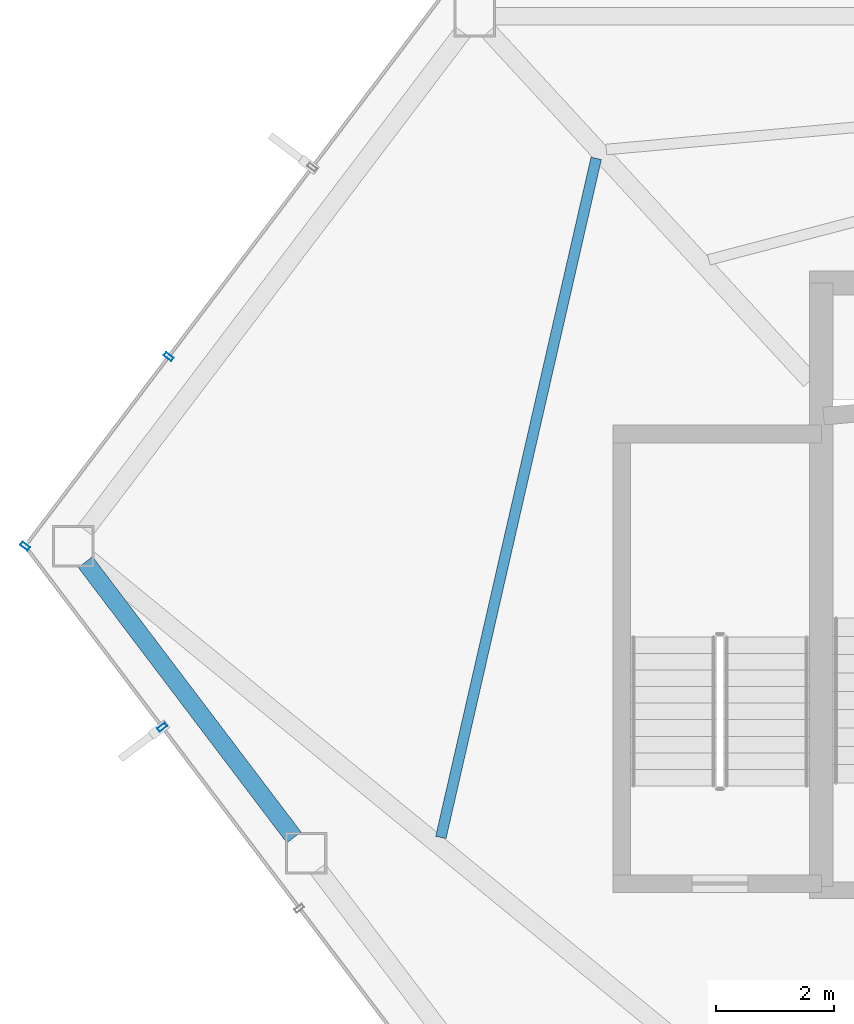
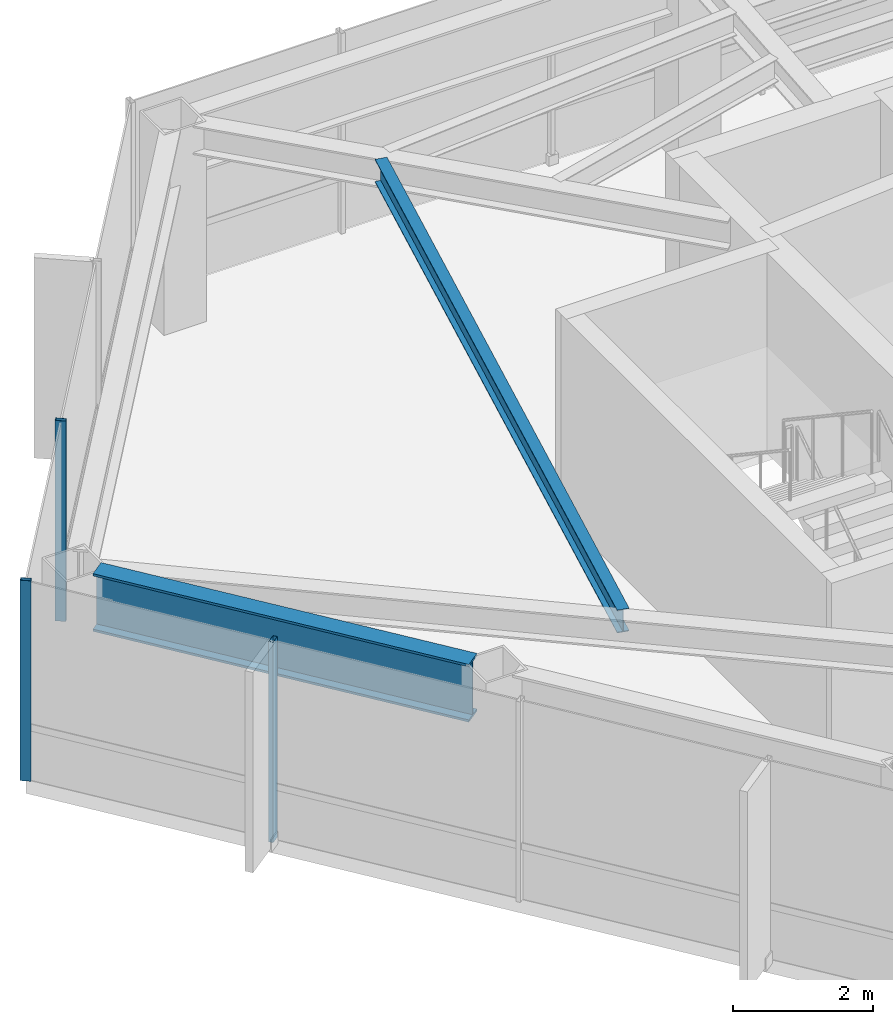
# One storey, part 9 of 28: 3 members, 2 beams, 2 elements without a shape of their own.
"""IFC4 building model written with IfcOpenShell, lengths in metres."""

from ifc_helpers import new_model, si_unit, direction, frame, origin, origin_2d, place, context, subcontext, project, spatial, hollow_rectangle, i_section, extrude, material, layer, layer_set, material_profile, profile_set, type_object, element, aggregate, save


model = new_model("IFC4")

# Units and contexts
model_context = context("Model", 3, precision=1e-05, world=origin(), true_north=direction((0.0, 1.0)))
body_context = subcontext(model_context, "Body", "Model", "MODEL_VIEW")
ifc_project = project(units=[si_unit("LENGTHUNIT", "METRE"), si_unit("AREAUNIT", "SQUARE_METRE"), si_unit("VOLUMEUNIT", "CUBIC_METRE"), si_unit("PLANEANGLEUNIT", "RADIAN"), si_unit("MASSUNIT", "GRAM", prefix="KILO")], contexts=[model_context])

# Site, building, storey
site_placement = place(None, origin())
site = spatial("IfcSite", under=ifc_project, at=site_placement, CompositionType="ELEMENT")
building_placement = place(site_placement, origin())
building = spatial("IfcBuilding", under=site, at=building_placement, Name="Zarrinselat Tower", CompositionType="ELEMENT")
storey_placement = place(building_placement, frame((0.0, 0.0, 187.0)))
storey = spatial("IfcBuildingStorey", under=building, at=storey_placement, Name="L46", CompositionType="ELEMENT", Elevation=187.0)

# Beams
ifc_material_1 = material(Name="Steel S460M", Category="steel")
ifc_material_profile_1 = material_profile(ifc_material_1, i_section(OverallWidth=0.302001953125, OverallDepth=1.008056640625, WebThickness=0.02099609375, FlangeThickness=0.0400390625, at=origin_2d()), Name="HEM 1000")
ifc_profile_set_1 = profile_set([ifc_material_profile_1], Name="Steel S460M")
beam_type_1 = type_object("IfcBeamType", Name="BM-HEM1000", PredefinedType="BEAM", material=ifc_profile_set_1)
beam_1_placement = place(storey_placement, frame((16.16650390625, 38.7333984375, 2.99609375), z_axis=(0.603868157824, -0.797084216357, 0.0), x_axis=(0.797084216357, 0.603868157824, 0.0)))
element("IfcBeam", 1, at=beam_1_placement, inside=storey, type_object=beam_type_1, Name="L46 Perimeter Spandrel Girder SP06", PredefinedType="BEAM", context=body_context, shape_type="SweptSolid", body=[
    extrude(i_section(OverallWidth=0.302001953125, OverallDepth=1.008056640625, WebThickness=0.02099609375, FlangeThickness=0.0400390625, at=origin_2d()), origin(), (0.0, 0.0, 1.0), 5.83642578125),
])
ifc_material_2 = material(Name="Steel S355J2", Category="steel")
ifc_material_profile_2 = material_profile(ifc_material_2, i_section(OverallWidth=0.179931640625, OverallDepth=0.39990234375, WebThickness=0.008544921875, FlangeThickness=0.013427734375, at=origin_2d()), Name="IPE 400")
ifc_profile_set_2 = profile_set([ifc_material_profile_2], Name="Steel S355J2")
beam_type_2 = type_object("IfcBeamType", Name="BM-IPE400", PredefinedType="JOIST", material=ifc_profile_set_2)
beam_2_placement = place(storey_placement, frame((22.172607421875, 34.0810546875, 3.300048828125), z_axis=(0.222970101498, 0.97482528375, 0.0), x_axis=(-0.97482528375, 0.222970101498, 0.0)))
element("IfcBeam", 2, at=beam_2_placement, inside=storey, type_object=beam_type_2, Name="L46 Composite Floor Joist 10-1", PredefinedType="JOIST", context=body_context, shape_type="SweptSolid", body=[
    extrude(i_section(OverallWidth=0.179931640625, OverallDepth=0.39990234375, WebThickness=0.008544921875, FlangeThickness=0.013427734375, at=origin_2d()), origin(), (0.0, 0.0, 1.0), 11.770751953125),
])

# Curtain wall, members
ifc_material_3 = material(Name="Extruded Aluminium Alloy EN AW-6063 T6", Category="aluminium")
ifc_layer = layer(ifc_material_3, 0.175048828125)
ifc_layer_set = layer_set([ifc_layer], Name="Extruded Aluminium Alloy EN AW-6063 T6")
curtain_wall_type = type_object("IfcCurtainWallType", Name="CWS-HTL", PredefinedType="NOTDEFINED", material=ifc_layer_set)
curtain_wall_1_placement = place(storey_placement, origin())
curtain_wall_1 = element("IfcCurtainWall", 3, at=curtain_wall_1_placement, inside=storey, type_object=curtain_wall_type, Name="L46 Unitised Curtain Wall CW-L46-E02", PredefinedType="NOTDEFINED")
ifc_material_4 = material(Name="Extruded Aluminium Alloy EN AW-6063 T6", Category="aluminium")
ifc_material_profile_3 = material_profile(ifc_material_4, hollow_rectangle(XDim=0.070068359375, YDim=0.159912109375, WallThickness=0.00390625, at=origin_2d()), Name="RHS 160x70x4")
ifc_profile_set_3 = profile_set([ifc_material_profile_3], Name="Extruded Aluminium Alloy EN AW-6063 T6")
member_type = type_object("IfcMemberType", Name="MEM-CW-MUL2", PredefinedType="MULLION", material=ifc_profile_set_3)
member_1_placement = place(storey_placement, frame((17.572021484375, 42.203857421875, 0.0), z_axis=(0.0, 0.0, 1.0), x_axis=(-0.603853852413, -0.797095053884, 0.0)))
member_1 = element("IfcMember", 4, at=member_1_placement, type_object=member_type, Name="CW-L46-E02 Mullion 2", PredefinedType="MULLION", context=body_context, shape_type="SweptSolid", body=[
    extrude(hollow_rectangle(XDim=0.070068359375, YDim=0.159912109375, WallThickness=0.00390625, at=origin_2d()), origin(), (0.0, 0.0, 1.0), 3.5),
])
member_2_placement = place(storey_placement, frame((15.14697265625, 39.0029296875, 0.0), z_axis=(0.0, 0.0, 1.0), x_axis=(-0.603853852413, -0.797095053884, 0.0)))
member_2 = element("IfcMember", 5, at=member_2_placement, type_object=member_type, Name="CW-L46-E02 Mullion 3", PredefinedType="MULLION", context=body_context, shape_type="SweptSolid", body=[
    extrude(hollow_rectangle(XDim=0.070068359375, YDim=0.159912109375, WallThickness=0.00390625, at=origin_2d()), origin(), (0.0, 0.0, 1.0), 3.5),
])
aggregate(curtain_wall_1, [member_1, member_2])

# Curtain wall, member
curtain_wall_2_placement = place(storey_placement, origin())
curtain_wall_2 = element("IfcCurtainWall", 6, at=curtain_wall_2_placement, inside=storey, type_object=curtain_wall_type, Name="L46 Unitised Curtain Wall CW-L46-E03", PredefinedType="NOTDEFINED")
member_3_placement = place(storey_placement, frame((17.464599609375, 35.94384765625, 0.0), z_axis=(0.0, 0.0, 1.0), x_axis=(0.603857114659, -0.7970925825, 0.0)))
member_3 = element("IfcMember", 7, at=member_3_placement, type_object=member_type, Name="CW-L46-E03 Mullion 1", PredefinedType="MULLION", context=body_context, shape_type="SweptSolid", body=[
    extrude(hollow_rectangle(XDim=0.070068359375, YDim=0.159912109375, WallThickness=0.00390625, at=origin_2d()), origin(), (0.0, 0.0, 1.0), 3.5),
])
aggregate(curtain_wall_2, [member_3])

save(model, "model.ifc")
